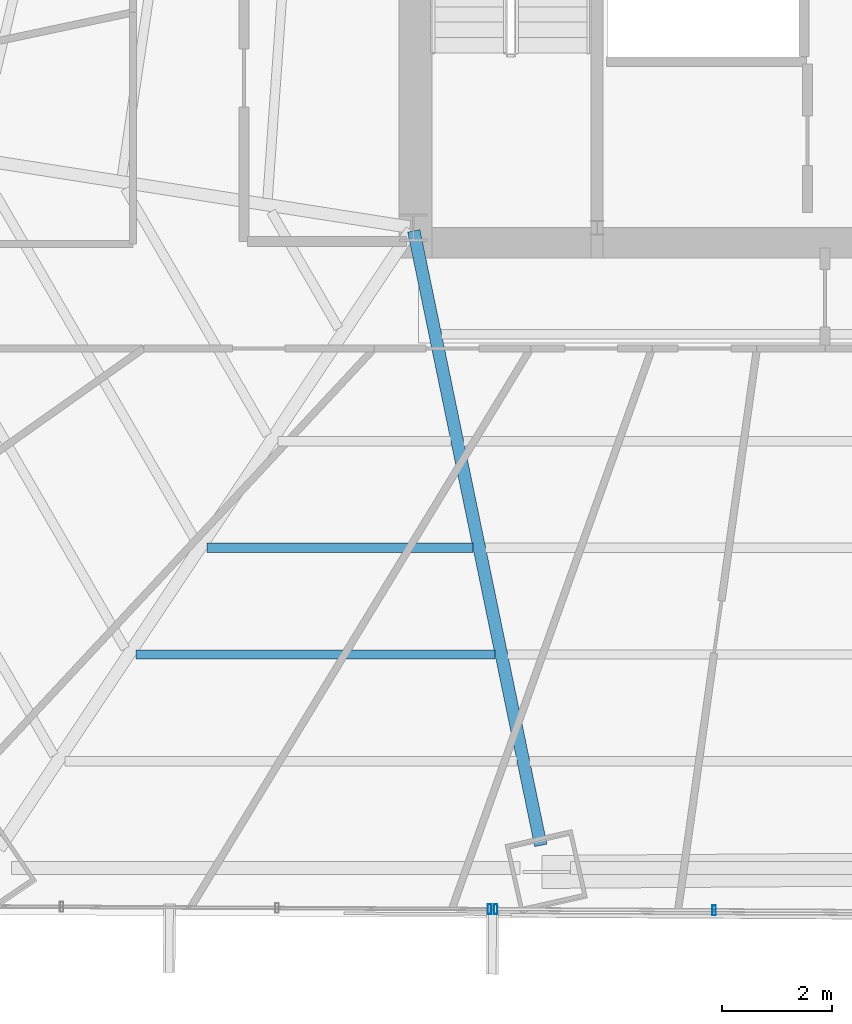
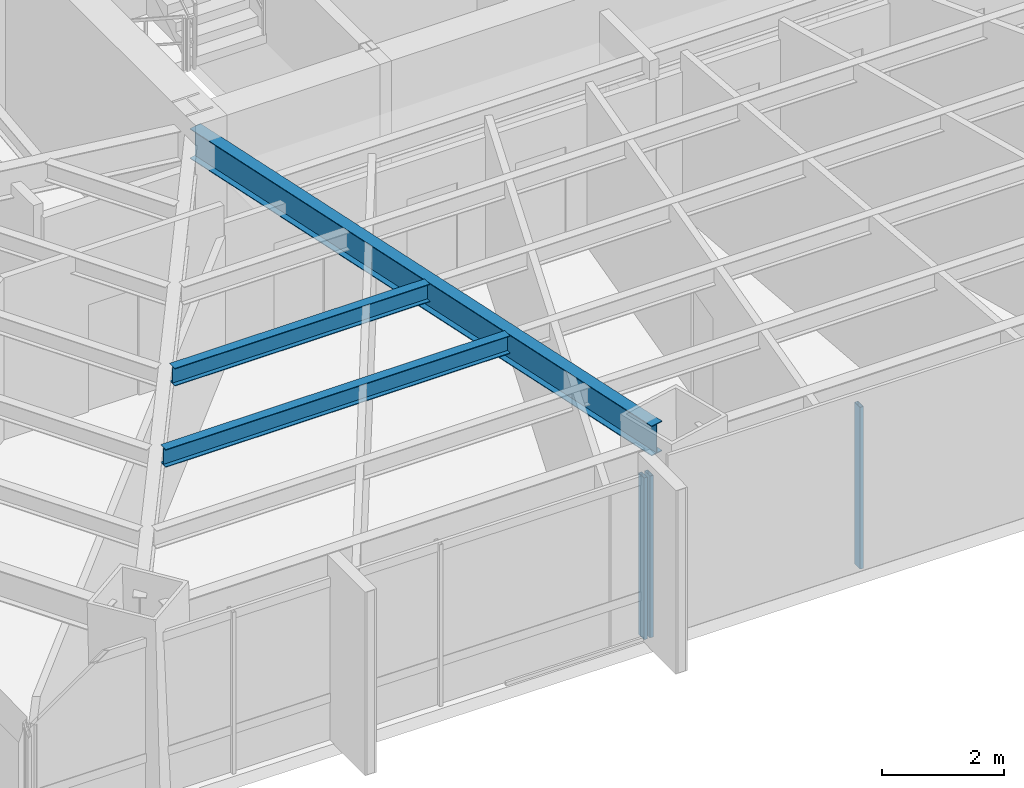
# One storey, part 8 of 39: 3 beams, 3 members, 2 elements without a shape of their own.
"""IFC4 building model written with IfcOpenShell, lengths in metres."""

from ifc_helpers import new_model, si_unit, direction, frame, origin, origin_2d, place, context, subcontext, project, spatial, hollow_rectangle, i_section, extrude, source, transform, mapped, material, material_profile, profile_set, type_object, type_shapes, element, aggregate, save


model = new_model("IFC4")

# Units and contexts
model_context = context("Model", 3, precision=1e-05, world=origin(), true_north=direction((0.0, 1.0)))
body_context = subcontext(model_context, "Body", "Model", "MODEL_VIEW")
ifc_project = project(units=[si_unit("LENGTHUNIT", "METRE"), si_unit("AREAUNIT", "SQUARE_METRE"), si_unit("VOLUMEUNIT", "CUBIC_METRE"), si_unit("PLANEANGLEUNIT", "RADIAN"), si_unit("MASSUNIT", "GRAM", prefix="KILO")], contexts=[model_context])

# Site, building, storey
site_placement = place(None, origin())
site = spatial("IfcSite", under=ifc_project, at=site_placement, CompositionType="ELEMENT")
building_placement = place(site_placement, origin())
building = spatial("IfcBuilding", under=site, at=building_placement, Name="Caelisora Broadcast Tower", CompositionType="ELEMENT")
storey_placement = place(building_placement, frame((0.0, 0.0, 71.39990234375)))
storey = spatial("IfcBuildingStorey", under=building, at=storey_placement, Name="L18", CompositionType="ELEMENT", Elevation=71.39990234375)

# Beams
ifc_material_1 = material(Name="Steel Grade 350 (AS/NZS 3679.1)", Category="steel")
ifc_material_profile_1 = material_profile(ifc_material_1, i_section(OverallWidth=0.22802734375, OverallDepth=0.602294921875, WebThickness=0.010498046875, FlangeThickness=0.014892578125, at=origin_2d()), Name="Steel Grade 350 (AS/NZS 3679.1)")
ifc_profile_set_1 = profile_set([ifc_material_profile_1], Name="Steel Grade 350 (AS/NZS 3679.1)")
beam_type_1 = type_object("IfcBeamType", Name="PG04", PredefinedType="BEAM", material=ifc_profile_set_1)
shared_shape_1 = source(origin(), body_context, "Body", "SweptSolid", [
    extrude(i_section(OverallWidth=0.22802734375, OverallDepth=0.602294921875, WebThickness=0.010498046875, FlangeThickness=0.014892578125, at=origin_2d()), origin(), (0.0, 0.0, 1.0), 11.426513671875),
])
type_shapes(beam_type_1, [shared_shape_1])
beam_1_placement = place(storey_placement, frame((30.51220703125, 17.34130859375, 2.948974609375), z_axis=(0.202357610361, -0.979311695799, 0.0), x_axis=(0.979311695799, 0.202357610361, 0.0)))
element("IfcBeam", 1, at=beam_1_placement, inside=storey, type_object=beam_type_1, Name="L18 beam PG04", PredefinedType="BEAM", context=body_context, shape_type="MappedRepresentation", body=[
    mapped(shared_shape_1, transform((0.0, 0.0, 0.0), scale=1.0)),
])
ifc_material_profile_2 = material_profile(ifc_material_1, i_section(OverallWidth=0.172119140625, OverallDepth=0.358642578125, WebThickness=0.008056640625, FlangeThickness=0.012939453125, at=origin_2d()), Name="Steel Grade 350 (AS/NZS 3679.1)")
ifc_profile_set_2 = profile_set([ifc_material_profile_2], Name="Steel Grade 350 (AS/NZS 3679.1)")
beam_type_2 = type_object("IfcBeamType", Name="SB02", PredefinedType="JOIST", material=ifc_profile_set_2)
shared_shape_2 = source(origin(), body_context, "Body", "SweptSolid", [
    extrude(i_section(OverallWidth=0.172119140625, OverallDepth=0.358642578125, WebThickness=0.008056640625, FlangeThickness=0.012939453125, at=origin_2d()), origin(), (0.0, 0.0, 1.0), 4.843017578125),
])
beam_2_placement = place(storey_placement, frame((26.748291015625, 11.56982421875, 3.07080078125), z_axis=(1.0, 0.0, 0.0), x_axis=(0.0, 1.0, 0.0)))
element("IfcBeam", 2, at=beam_2_placement, inside=storey, type_object=beam_type_2, Name="L18 beam SB02", PredefinedType="JOIST", context=body_context, shape_type="MappedRepresentation", body=[
    mapped(shared_shape_2, transform((0.0, 0.0, 0.0), scale=1.0)),
])
shared_shape_3 = source(origin(), body_context, "Body", "SweptSolid", [
    extrude(i_section(OverallWidth=0.172119140625, OverallDepth=0.358642578125, WebThickness=0.008056640625, FlangeThickness=0.012939453125, at=origin_2d()), origin(), (0.0, 0.0, 1.0), 6.539794921875),
])
type_shapes(beam_type_2, [shared_shape_2, shared_shape_3])
beam_3_placement = place(storey_placement, frame((25.453125, 9.626708984375, 3.07080078125), z_axis=(1.0, 0.0, 0.0), x_axis=(0.0, 1.0, 0.0)))
element("IfcBeam", 3, at=beam_3_placement, inside=storey, type_object=beam_type_2, Name="L18 beam SB02", PredefinedType="JOIST", context=body_context, shape_type="MappedRepresentation", body=[
    mapped(shared_shape_3, transform((0.0, 0.0, 0.0), scale=1.0)),
])

# Curtain wall, members
ifc_material_2 = material(Name="Unitised Aluminium Insulated Shadow-Box Spandrel Curtain Wall", Category="aluminium")
curtain_wall_type_1 = type_object("IfcCurtainWallType", Name="CW-SP1", PredefinedType="NOTDEFINED", material=ifc_material_2)
curtain_wall_1_placement = place(storey_placement, origin())
curtain_wall_1 = element("IfcCurtainWall", 4, at=curtain_wall_1_placement, inside=storey, type_object=curtain_wall_type_1, Name="L18 curtain wall CW-SP1", PredefinedType="NOTDEFINED")
ifc_material_3 = material(Name="Aluminium 6063-T6 Anodised Terracotta Bronze", Category="aluminium")
ifc_material_profile_3 = material_profile(ifc_material_3, hollow_rectangle(XDim=0.06494140625, YDim=0.179931640625, WallThickness=0.00341796875, at=origin_2d()), Name="Aluminium 6063-T6 Anodised Terracotta Bronze")
ifc_profile_set_3 = profile_set([ifc_material_profile_3], Name="Aluminium 6063-T6 Anodised Terracotta Bronze")
member_type = type_object("IfcMemberType", Name="CWM-02", PredefinedType="MULLION", material=ifc_profile_set_3)
shared_shape_4 = source(origin(), body_context, "Body", "SweptSolid", [
    extrude(hollow_rectangle(XDim=0.06494140625, YDim=0.179931640625, WallThickness=0.00341796875, at=origin_2d()), origin(), (0.0, 0.0, 1.0), 3.25),
])
type_shapes(member_type, [shared_shape_4])
member_1_placement = place(storey_placement, frame((35.9814453125, 4.9677734375, 0.0), z_axis=(0.0, 0.0, 1.0), x_axis=(1.0, 0.0, 0.0)))
member_1 = element("IfcMember", 5, at=member_1_placement, type_object=member_type, Name="L18-CW-B06 mullion #2", PredefinedType="MULLION", context=body_context, shape_type="MappedRepresentation", body=[
    mapped(shared_shape_4, transform((0.0, 0.0, 0.0), scale=1.0)),
])
member_2_placement = place(storey_placement, frame((32.002197265625, 4.989501953125, 0.0), z_axis=(0.0, 0.0, 1.0), x_axis=(1.0, 0.0, 0.0)))
member_2 = element("IfcMember", 6, at=member_2_placement, type_object=member_type, Name="L18-CW-B06 mullion #3", PredefinedType="MULLION", context=body_context, shape_type="MappedRepresentation", body=[
    mapped(shared_shape_4, transform((0.0, 0.0, 0.0), scale=1.0)),
])
aggregate(curtain_wall_1, [member_1, member_2])

# Curtain wall, member
ifc_material_4 = material(Name="Unitised Aluminium and Low-E Glass Curtain Wall", Category="glass")
curtain_wall_type_2 = type_object("IfcCurtainWallType", Name="CW-Z1", PredefinedType="NOTDEFINED", material=ifc_material_4)
curtain_wall_2_placement = place(storey_placement, origin())
curtain_wall_2 = element("IfcCurtainWall", 7, at=curtain_wall_2_placement, inside=storey, type_object=curtain_wall_type_2, Name="L18 curtain wall CW-Z1", PredefinedType="NOTDEFINED")
member_3_placement = place(storey_placement, frame((31.89208984375, 4.989990234375, 0.0), z_axis=(0.0, 0.0, 1.0), x_axis=(1.0, 0.0, 0.0)))
member_3 = element("IfcMember", 8, at=member_3_placement, type_object=member_type, Name="L18-CW-B07 mullion #0", PredefinedType="MULLION", context=body_context, shape_type="MappedRepresentation", body=[
    mapped(shared_shape_4, transform((0.0, 0.0, 0.0), scale=1.0)),
])
aggregate(curtain_wall_2, [member_3])

save(model, "model.ifc")
